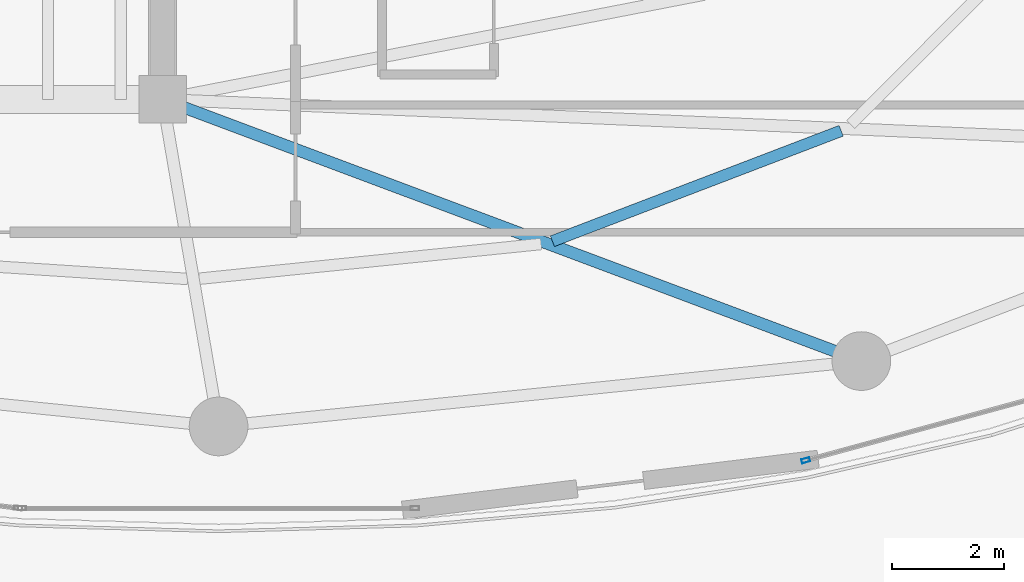
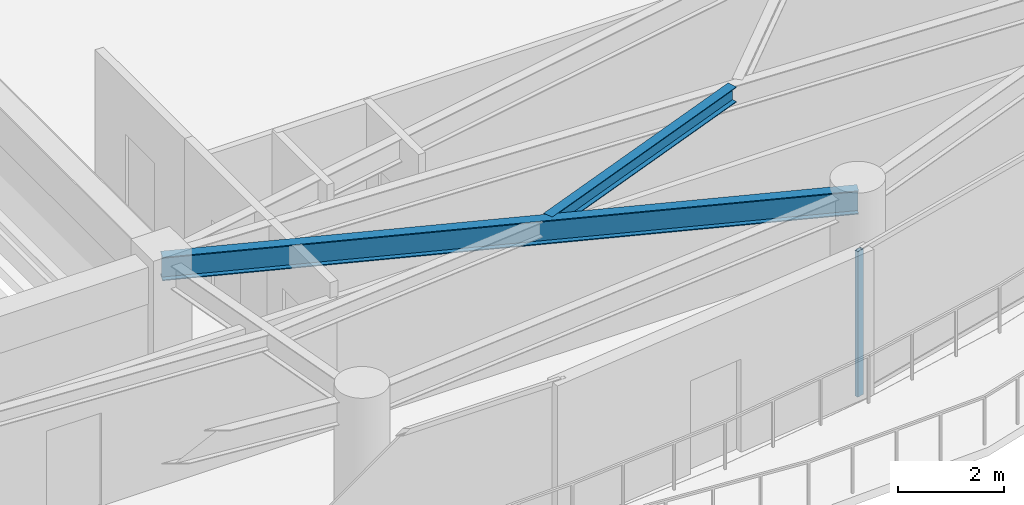
# One storey, part 10 of 29: 2 beams, 1 member, 1 element without a shape of its own.
"""IFC4 building model written with IfcOpenShell, lengths in metres."""

from ifc_helpers import new_model, si_unit, direction, frame, origin, origin_2d, place, context, subcontext, project, spatial, hollow_rectangle, i_section, extrude, material, layer, layer_set, material_profile, profile_set, type_object, element, aggregate, save


model = new_model("IFC4")

# Units and contexts
model_context = context("Model", 3, precision=1e-05, world=origin(), true_north=direction((0.0, 1.0)))
body_context = subcontext(model_context, "Body", "Model", "MODEL_VIEW")
ifc_project = project(units=[si_unit("LENGTHUNIT", "METRE"), si_unit("AREAUNIT", "SQUARE_METRE"), si_unit("VOLUMEUNIT", "CUBIC_METRE"), si_unit("PLANEANGLEUNIT", "RADIAN"), si_unit("MASSUNIT", "GRAM", prefix="KILO")], contexts=[model_context])

# Site, building, storey
site_placement = place(None, origin())
site = spatial("IfcSite", under=ifc_project, at=site_placement, CompositionType="ELEMENT")
building_placement = place(site_placement, origin())
building = spatial("IfcBuilding", under=site, at=building_placement, Name="Kazevale Care Tower and Concert Hall", CompositionType="ELEMENT")
storey_placement = place(building_placement, frame((0.0, 0.0, 213.60009765625)))
storey = spatial("IfcBuildingStorey", under=building, at=storey_placement, Name="L56", CompositionType="ELEMENT", Elevation=213.60009765625)

# Curtain wall, member
ifc_material_1 = material(Name="Aluminium 6063-T6 and Low-E Glass", Category="aluminium")
ifc_layer = layer(ifc_material_1, 0.179931640625)
ifc_layer_set = layer_set([ifc_layer], Name="Aluminium 6063-T6 and Low-E Glass")
curtain_wall_type = type_object("IfcCurtainWallType", Name="Sheltered Concave Balcony Curtain Wall CW-5", PredefinedType="NOTDEFINED", material=ifc_layer_set)
curtain_wall_placement = place(storey_placement, origin())
curtain_wall = element("IfcCurtainWall", 1, at=curtain_wall_placement, inside=storey, type_object=curtain_wall_type, Name="cw:L56:f04", PredefinedType="NOTDEFINED")
ifc_material_2 = material(Name="Aluminium 6063-T6", Category="aluminium")
ifc_material_profile_1 = material_profile(ifc_material_2, hollow_rectangle(XDim=0.074951171875, YDim=0.14990234375, WallThickness=0.00390625, at=origin_2d()), Name="ALU75x150x4")
ifc_profile_set_1 = profile_set([ifc_material_profile_1], Name="Aluminium 6063-T6")
member_type = type_object("IfcMemberType", Name="CW-5 Mullion ALU75x150x4", PredefinedType="MULLION", material=ifc_profile_set_1)
member_placement = place(storey_placement, frame((55.505126953125, 17.142822265625, 0.0), z_axis=(0.0, 0.0, 1.0), x_axis=(0.262848968947, -0.964836991167, 0.0)))
member = element("IfcMember", 2, at=member_placement, type_object=member_type, Name="CW-5 mullion 2", PredefinedType="MULLION", context=body_context, shape_type="SweptSolid", body=[
    extrude(hollow_rectangle(XDim=0.074951171875, YDim=0.14990234375, WallThickness=0.00390625, at=origin_2d()), origin(), (0.0, 0.0, 1.0), 3.35986328125),
])
aggregate(curtain_wall, [member])

# Beams
ifc_material_3 = material(Name="Steel ASTM A572 Gr 50", Category="steel")
ifc_material_profile_2 = material_profile(ifc_material_3, i_section(OverallWidth=0.2119140625, OverallDepth=0.5439453125, WebThickness=0.01318359375, FlangeThickness=0.021240234375, at=origin_2d()), Name="W530x123")
ifc_profile_set_2 = profile_set([ifc_material_profile_2], Name="Steel ASTM A572 Gr 50")
beam_type_1 = type_object("IfcBeamType", Name="Radial Floor Girder W530x123", PredefinedType="BEAM", material=ifc_profile_set_2)
beam_1_placement = place(storey_placement, frame((44.0, 23.60009765625, 3.087890625), z_axis=(0.936509460339, -0.350642311615, 0.0), x_axis=(0.350642311615, 0.936509460339, 0.0)))
element("IfcBeam", 3, at=beam_1_placement, inside=storey, type_object=beam_type_1, Name="beam:L56:rad:14", PredefinedType="BEAM", context=body_context, shape_type="SweptSolid", body=[
    extrude(i_section(OverallWidth=0.2119140625, OverallDepth=0.5439453125, WebThickness=0.01318359375, FlangeThickness=0.021240234375, at=origin_2d()), origin(), (0.0, 0.0, 1.0), 13.347412109375),
])
ifc_material_profile_3 = material_profile(ifc_material_3, i_section(OverallWidth=0.205078125, OverallDepth=0.35400390625, WebThickness=0.009521484375, FlangeThickness=0.016845703125, at=origin_2d()), Name="W360x79")
ifc_profile_set_3 = profile_set([ifc_material_profile_3], Name="Steel ASTM A572 Gr 50")
beam_type_2 = type_object("IfcBeamType", Name="Secondary Floor Joist W360x79", PredefinedType="JOIST", material=ifc_profile_set_3)
beam_2_placement = place(storey_placement, frame((50.972900390625, 21.06396484375, 3.182861328125), z_axis=(0.934001589337, 0.35726884991, 0.0), x_axis=(-0.35726884991, 0.934001589337, 0.0)))
element("IfcBeam", 4, at=beam_2_placement, inside=storey, type_object=beam_type_2, Name="beam:L56:joist:14", PredefinedType="JOIST", context=body_context, shape_type="SweptSolid", body=[
    extrude(i_section(OverallWidth=0.205078125, OverallDepth=0.35400390625, WebThickness=0.009521484375, FlangeThickness=0.016845703125, at=origin_2d()), origin(), (0.0, 0.0, 1.0), 5.531005859375),
])

save(model, "model.ifc")
